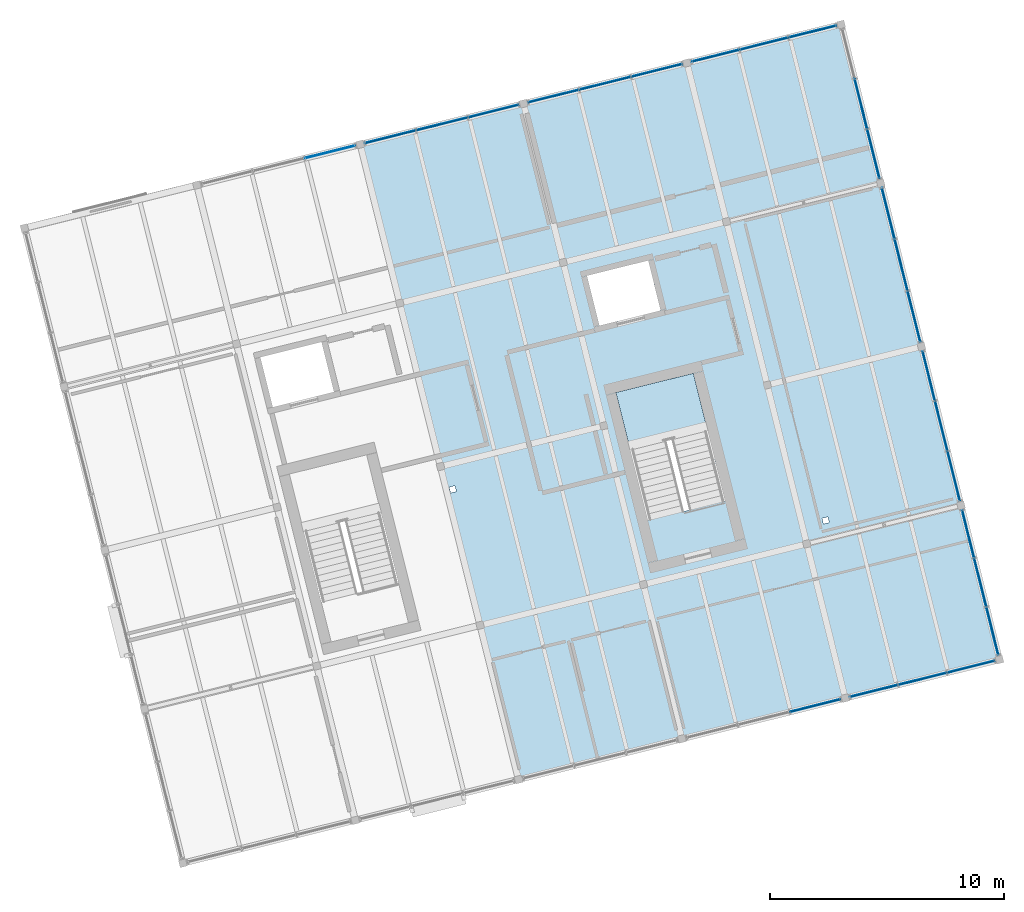
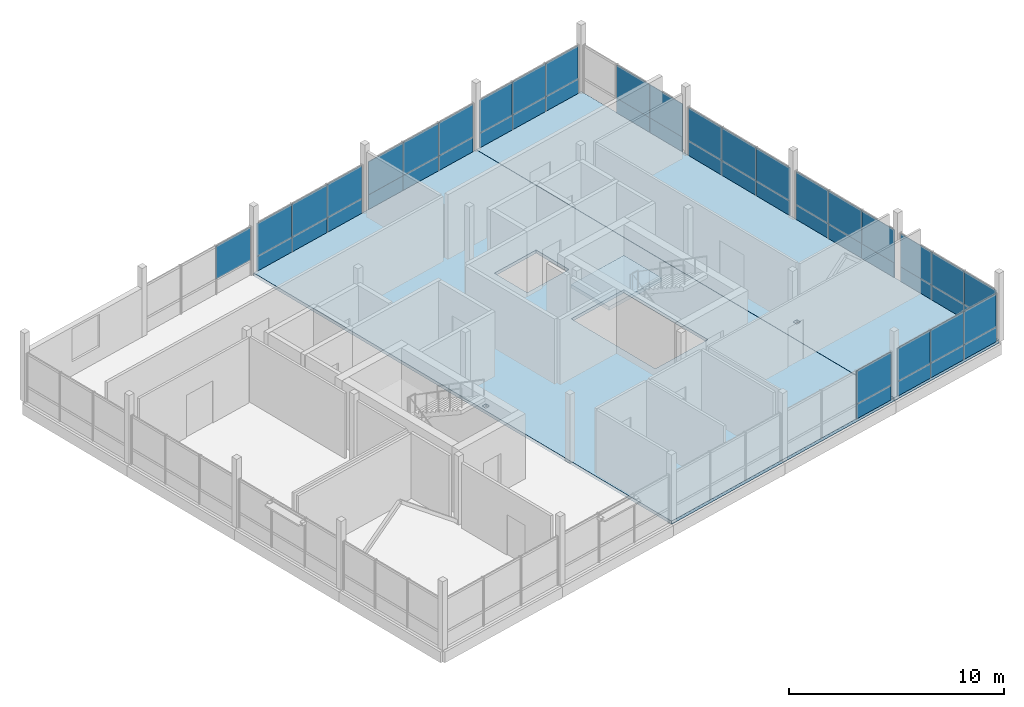
# One storey, part 22 of 25: 49 plates, 3 slabs, 11 elements without a shape of their own.
"""IFC4 building model written with IfcOpenShell, lengths in metres."""

import ifcopenshell
import ifcopenshell.guid

model = None  # the IFC model being written
_history = None  # IfcOwnerHistory: only IFC2X3 demands one
_inside = {}  # id of a spatial element -> (the spatial element, [elements in it])
_under = {}  # id of a project, library or spatial element -> (it, [spatial elements below it])
_declared = {}  # id of a project -> (the project, [libraries it declares])
_typed = {}  # id of a type object -> (the type object, [elements of that type])
_made_of = {}  # id of a material, layer set ... -> (it, [elements and type objects made of it])


def new_model(schema):
    """Start an empty IFC model of exactly this schema.

    Asked for "IFC4X3", IfcOpenShell would pick the latest addendum, in which some entities
    have other attributes; the version numbers below select the first issue.
    IFC2X3 requires an IfcOwnerHistory on every rooted entity: one is made here for all.
    """
    global model, _history
    if schema == "IFC4X3":
        model = ifcopenshell.file(schema_version=(4, 3, 0, 0))
    else:
        model = ifcopenshell.file(schema=schema)
    _inside.clear()
    _under.clear()
    _declared.clear()
    _typed.clear()
    _made_of.clear()
    _history = None
    if model.schema == "IFC2X3":
        org = make("IfcOrganization", Name="unknown")
        user = make(
            "IfcPersonAndOrganization",
            ThePerson=make("IfcPerson", FamilyName="unknown"),
            TheOrganization=org,
        )
        app = make(
            "IfcApplication",
            ApplicationDeveloper=org,
            Version="unknown",
            ApplicationFullName="unknown",
            ApplicationIdentifier="unknown",
        )
        _history = make(
            "IfcOwnerHistory",
            OwningUser=user,
            OwningApplication=app,
            ChangeAction="ADDED",
            CreationDate=0,
        )
    return model


def make(cls, **values):
    """One entity of the class cls with the attributes given. An attribute that is None is left unset."""
    return model.create_entity(
        cls, **{name: value for name, value in values.items() if value is not None}
    )


def rooted(cls, **values):
    """An entity with a GlobalId (a new one), such as an element, a storey or a relation."""
    return make(cls, GlobalId=ifcopenshell.guid.new(), OwnerHistory=_history, **values)


def si_unit(unit_type, name, prefix=None):
    """IfcSIUnit, for example si_unit("LENGTHUNIT", "METRE", prefix="MILLI")."""
    return make("IfcSIUnit", UnitType=unit_type, Prefix=prefix, Name=name)


def assignment(units):
    """IfcUnitAssignment: the units of a project."""
    return None if units is None else make("IfcUnitAssignment", Units=units)


def point(xyz):
    """IfcCartesianPoint."""
    return None if xyz is None else make("IfcCartesianPoint", Coordinates=xyz)


def direction(xyz):
    """IfcDirection."""
    return None if xyz is None else make("IfcDirection", DirectionRatios=xyz)


def frame(location, z_axis=None, x_axis=None):
    """IfcAxis2Placement3D, a coordinate frame: its origin and axes. An axis left out is left unset."""
    return make(
        "IfcAxis2Placement3D",
        Location=point(location),
        Axis=direction(z_axis),
        RefDirection=direction(x_axis),
    )


def frame_2d(location, x_axis=None):
    """IfcAxis2Placement2D, a coordinate frame in the plane: its origin and x axis."""
    return make(
        "IfcAxis2Placement2D", Location=point(location), RefDirection=direction(x_axis)
    )


def origin():
    """The frame at (0, 0, 0) with its axes left unset."""
    return frame((0.0, 0.0, 0.0))


def origin_2d():
    """The frame at (0, 0) in the plane with its x axis left unset."""
    return frame_2d((0.0, 0.0))


def place(relative_to, where):
    """IfcLocalPlacement: puts the frame where relative to a parent placement (None: the world)."""
    return make(
        "IfcLocalPlacement", PlacementRelTo=relative_to, RelativePlacement=where
    )


def context(
    kind, dimensions, precision=None, world=None, true_north=None, identifier=None
):
    """IfcGeometricRepresentationContext, for example the 3D "Model" context."""
    return make(
        "IfcGeometricRepresentationContext",
        ContextIdentifier=identifier,
        ContextType=kind,
        CoordinateSpaceDimension=dimensions,
        Precision=precision,
        WorldCoordinateSystem=world,
        TrueNorth=true_north,
    )


def subcontext(parent, identifier, kind, view, scale=None):
    """IfcGeometricRepresentationSubContext, for example "Body" below "Model"."""
    return make(
        "IfcGeometricRepresentationSubContext",
        ContextIdentifier=identifier,
        ContextType=kind,
        ParentContext=parent,
        TargetScale=scale,
        TargetView=view,
    )


def project(units=None, contexts=None):
    """IfcProject with its units and contexts."""
    return rooted(
        "IfcProject",
        Name="project",
        RepresentationContexts=contexts,
        UnitsInContext=assignment(units),
    )


def spatial(cls, under=None, at=None, **own):
    """A site, building, storey or space (cls), placed at a placement, below another one or the project."""
    s = rooted(cls, ObjectPlacement=at, **own)
    if under is not None:
        _under.setdefault(under.id(), (under, []))[1].append(s)
    return s


def polyline(points):
    """IfcPolyline through the points."""
    return make("IfcPolyline", Points=[point(p) for p in points])


def profile(cls, at=None, kind="AREA", **sizes):
    """A parametric profile (cls). Its sizes go by their IFC names, for example OverallWidth=200.0."""
    return make(cls, ProfileType=kind, Position=at, **sizes)


def rectangle(**sizes):
    """IfcRectangleProfileDef."""
    return profile("IfcRectangleProfileDef", **sizes)


def outline(outer, holes=None, kind="AREA"):
    """IfcArbitraryClosedProfileDef: a profile drawn as a closed curve; with holes, ...WithVoids."""
    if holes is None:
        return make("IfcArbitraryClosedProfileDef", ProfileType=kind, OuterCurve=outer)
    return make(
        "IfcArbitraryProfileDefWithVoids",
        ProfileType=kind,
        OuterCurve=outer,
        InnerCurves=holes,
    )


def extrude(swept, where, along, depth):
    """IfcExtrudedAreaSolid: the profile swept, set in the frame where, extruded along a direction by depth."""
    return make(
        "IfcExtrudedAreaSolid",
        SweptArea=swept,
        Position=where,
        ExtrudedDirection=direction(along),
        Depth=depth,
    )


def shape(context_of_items, identifier, shape_type, items):
    """IfcShapeRepresentation: the items that make up one representation, for example the "Body"."""
    return make(
        "IfcShapeRepresentation",
        ContextOfItems=context_of_items,
        RepresentationIdentifier=identifier,
        RepresentationType=shape_type,
        Items=items,
    )


def material(Name=None, Category=None):
    """IfcMaterial."""
    return make("IfcMaterial", Name=Name, Category=Category)


def layer(
    of_material, thickness, ventilated=None, Name=None, Category=None, Priority=None
):
    """IfcMaterialLayer: one layer of a wall or slab, of a material (None: an air gap)."""
    return make(
        "IfcMaterialLayer",
        Material=of_material,
        LayerThickness=thickness,
        IsVentilated=ventilated,
        Name=Name,
        Category=Category,
        Priority=Priority,
    )


def layer_set(layers, Name=None):
    """IfcMaterialLayerSet."""
    return make("IfcMaterialLayerSet", MaterialLayers=layers, LayerSetName=Name)


def made_of(thing, what):
    """Note that an element or type object is made of a material, layer set ...; save() writes the relation."""
    if what is not None:
        _made_of.setdefault(what.id(), (what, []))[1].append(thing)
    return thing


def type_object(cls, material=None, **own):
    """A type object (cls), such as IfcWallType, which elements share."""
    return made_of(rooted(cls, **own), material)


def element(
    cls,
    number,
    at=None,
    inside=None,
    cuts=None,
    type_object=None,
    material=None,
    context=None,
    identifier="Body",
    shape_type=None,
    held_by="IfcProductDefinitionShape",
    body=None,
    shapes=None,
    **own,
):
    """One element of the class cls, such as IfcWall. Its Tag is "e" and its number.

    at: its placement. inside: the storey or other place that contains it. cuts: it is an
    opening in that element (IfcRelVoidsElement). A single representation is given by context,
    identifier, shape_type and body (its items); several are given by shapes. held_by: the class
    of the entity that holds the representations. save() writes the other relations.
    """
    e = rooted(cls, Tag="e%d" % number, ObjectPlacement=at, **own)
    if body is not None:
        shapes = [shape(context, identifier, shape_type, body)]
    if shapes is not None:
        e.Representation = make(held_by, Representations=shapes)
    if inside is not None:
        _inside.setdefault(inside.id(), (inside, []))[1].append(e)
    if cuts is not None:
        rooted(
            "IfcRelVoidsElement", RelatingBuildingElement=cuts, RelatedOpeningElement=e
        )
    if type_object is not None:
        _typed.setdefault(type_object.id(), (type_object, []))[1].append(e)
    return made_of(e, material)


def aggregate(whole, parts):
    """IfcRelAggregates: a whole, such as a stair, and the parts it consists of."""
    return rooted("IfcRelAggregates", RelatingObject=whole, RelatedObjects=parts)


def save(model, path):
    """Write the relations noted so far, then the file.

    IfcRelAggregates (storeys below a building ...), IfcRelContainedInSpatialStructure (elements
    in a storey), IfcRelDefinesByType, IfcRelAssociatesMaterial and IfcRelDeclares: one each for
    every whole, place, type object, material and project.
    """
    for whole, parts in _under.values():
        aggregate(whole, parts)
    for where, things in _inside.values():
        rooted(
            "IfcRelContainedInSpatialStructure",
            RelatedElements=things,
            RelatingStructure=where,
        )
    for kind, things in _typed.values():
        rooted("IfcRelDefinesByType", RelatedObjects=things, RelatingType=kind)
    for what, things in _made_of.values():
        rooted("IfcRelAssociatesMaterial", RelatedObjects=things, RelatingMaterial=what)
    for by, libraries in _declared.values():
        rooted("IfcRelDeclares", RelatingContext=by, RelatedDefinitions=libraries)
    model.write(path)


model = new_model("IFC4")

# Units and contexts
model_context = context("Model", 3, precision=1e-05, world=origin(), true_north=direction((0.0, 1.0)))
body_context = subcontext(model_context, "Body", "Model", "MODEL_VIEW")
ifc_project = project(units=[si_unit("LENGTHUNIT", "METRE"), si_unit("AREAUNIT", "SQUARE_METRE"), si_unit("VOLUMEUNIT", "CUBIC_METRE"), si_unit("PLANEANGLEUNIT", "RADIAN"), si_unit("MASSUNIT", "GRAM", prefix="KILO")], contexts=[model_context])

# Site, building, storey
site_placement = place(None, origin())
site = spatial("IfcSite", under=ifc_project, at=site_placement, CompositionType="ELEMENT")
building_placement = place(site_placement, origin())
building = spatial("IfcBuilding", under=site, at=building_placement, Name="Meriwether Solvik Hall", CompositionType="ELEMENT")
storey_placement = place(building_placement, frame((0.0, 0.0, 53.39990234375)))
storey = spatial("IfcBuildingStorey", under=building, at=storey_placement, Name="L13", CompositionType="ELEMENT", Elevation=53.39990234375)

# Curtain wall, plates
ifc_material_1 = material(Name="Thermally Broken Anodised Aluminium 6063-T6 and Low-E Glass", Category="aluminium")
ifc_layer_1 = layer(ifc_material_1, 0.179931640625)
ifc_layer_set_1 = layer_set([ifc_layer_1], Name="Thermally Broken Anodised Aluminium 6063-T6 and Low-E Glass")
curtain_wall_type_1 = type_object("IfcCurtainWallType", Name="CW-UNIT-F", PredefinedType="USERDEFINED", material=ifc_layer_set_1)
curtain_wall_1_placement = place(storey_placement, origin())
curtain_wall_1 = element("IfcCurtainWall", 1, at=curtain_wall_1_placement, inside=storey, type_object=curtain_wall_type_1, Name="Curtain Wall E1_B1 (L13)", ObjectType="UNITISED CURTAIN WALL", PredefinedType="USERDEFINED")
ifc_material_2 = material(Name="Low-Emissivity Double-Glazed Laminated Glass", Category="glass")
ifc_layer_2 = layer(ifc_material_2, 0.031982421875)
ifc_layer_set_2 = layer_set([ifc_layer_2], Name="Low-Emissivity Double-Glazed Laminated Glass")
plate_type_1 = type_object("IfcPlateType", Name="PLT-GLZ-180X185", PredefinedType="CURTAIN_PANEL", material=ifc_layer_set_2)
plate_1_placement = place(storey_placement, frame((100.50634765625, 62.0390625, 0.8310546875), z_axis=(0.0, 0.0, 1.0), x_axis=(0.241921784185, -0.970295754055, 0.0)))
plate_1 = element("IfcPlate", 2, at=plate_1_placement, type_object=plate_type_1, Name="Low-E Vision Glazing Panel 1", PredefinedType="CURTAIN_PANEL", context=body_context, shape_type="SweptSolid", body=[
    extrude(rectangle(XDim=2.17431640625, YDim=0.033935546875, at=origin_2d()), origin(), (0.0, 0.0, 1.0), 1.87890625),
])
plate_2_placement = place(storey_placement, frame((101.038818359375, 59.9033203125, 0.8310546875), z_axis=(0.0, 0.0, 1.0), x_axis=(0.241921784185, -0.970295754055, 0.0)))
plate_2 = element("IfcPlate", 3, at=plate_2_placement, type_object=plate_type_1, Name="Low-E Vision Glazing Panel 2", PredefinedType="CURTAIN_PANEL", context=body_context, shape_type="SweptSolid", body=[
    extrude(rectangle(XDim=2.21240234375, YDim=0.033935546875, at=origin_2d()), origin(), (0.0, 0.0, 1.0), 1.87890625),
])
plate_3_placement = place(storey_placement, frame((101.5712890625, 57.767333984375, 0.8310546875), z_axis=(0.0, 0.0, 1.0), x_axis=(0.241921784185, -0.970295754055, 0.0)))
plate_3 = element("IfcPlate", 4, at=plate_3_placement, type_object=plate_type_1, Name="Low-E Vision Glazing Panel 3", PredefinedType="CURTAIN_PANEL", context=body_context, shape_type="SweptSolid", body=[
    extrude(rectangle(XDim=2.17431640625, YDim=0.033935546875, at=origin_2d()), origin(), (0.0, 0.0, 1.0), 1.87890625),
])

# Curtain wall, plate
ifc_material_3 = material(Name="Thermally Broken Anodised Aluminium 6063-T6 and Low-E Glass", Category="aluminium")
ifc_layer_3 = layer(ifc_material_3, 0.179931640625)
ifc_layer_set_3 = layer_set([ifc_layer_3], Name="Thermally Broken Anodised Aluminium 6063-T6 and Low-E Glass")
curtain_wall_type_2 = type_object("IfcCurtainWallType", Name="CW-UNIT-G", PredefinedType="USERDEFINED", material=ifc_layer_set_3)
curtain_wall_2_placement = place(storey_placement, origin())
curtain_wall_2 = element("IfcCurtainWall", 5, at=curtain_wall_2_placement, inside=storey, type_object=curtain_wall_type_2, Name="Curtain Wall E2_B1 (L13)", ObjectType="UNITISED CURTAIN WALL", PredefinedType="USERDEFINED")
plate_4_placement = place(storey_placement, frame((74.89404296875, 71.62646484375, 0.8310546875), z_axis=(0.0, 0.0, 1.0), x_axis=(0.970295730764, 0.241921877598, 0.0)))
plate_4 = element("IfcPlate", 6, at=plate_4_placement, type_object=plate_type_1, Name="Low-E Vision Glazing Panel 3", PredefinedType="CURTAIN_PANEL", context=body_context, shape_type="SweptSolid", body=[
    extrude(rectangle(XDim=2.240966796875, YDim=0.033935546875, at=origin_2d()), origin(), (0.0, 0.0, 1.0), 1.87890625),
])
aggregate(curtain_wall_2, [plate_4])

# Curtain wall, plates
ifc_material_4 = material(Name="Thermally Broken Anodised Aluminium 6063-T6 and Low-E Glass", Category="aluminium")
ifc_layer_4 = layer(ifc_material_4, 0.179931640625)
ifc_layer_set_4 = layer_set([ifc_layer_4], Name="Thermally Broken Anodised Aluminium 6063-T6 and Low-E Glass")
curtain_wall_type_3 = type_object("IfcCurtainWallType", Name="CW-UNIT-A", PredefinedType="USERDEFINED", material=ifc_layer_set_4)
curtain_wall_3_placement = place(storey_placement, origin())
curtain_wall_3 = element("IfcCurtainWall", 7, at=curtain_wall_3_placement, inside=storey, type_object=curtain_wall_type_3, Name="Curtain Wall E0_B4 (L13)", ObjectType="UNITISED CURTAIN WALL", PredefinedType="USERDEFINED")
ifc_material_5 = material(Name="Low-Emissivity Double-Glazed Laminated Glass", Category="glass")
ifc_layer_5 = layer(ifc_material_5, 0.031982421875)
ifc_layer_set_5 = layer_set([ifc_layer_5], Name="Low-Emissivity Double-Glazed Laminated Glass")
plate_type_2 = type_object("IfcPlateType", Name="PLT-GLZ-195X185", PredefinedType="CURTAIN_PANEL", material=ifc_layer_set_5)
plate_5_placement = place(storey_placement, frame((102.302978515625, 49.60302734375, 0.8310546875), z_axis=(0.0, 0.0, 1.0), x_axis=(-0.970295742456, -0.241921830705, 0.0)))
plate_5 = element("IfcPlate", 8, at=plate_5_placement, type_object=plate_type_2, Name="Low-E Vision Glazing Panel 1", PredefinedType="CURTAIN_PANEL", context=body_context, shape_type="SweptSolid", body=[
    extrude(rectangle(XDim=2.107666015625, YDim=0.033935546875, at=origin_2d()), origin(), (0.0, 0.0, 1.0), 1.87890625),
])
plate_6_placement = place(storey_placement, frame((100.231689453125, 49.086669921875, 0.8310546875), z_axis=(0.0, 0.0, 1.0), x_axis=(-0.970295742456, -0.241921830705, 0.0)))
plate_6 = element("IfcPlate", 9, at=plate_6_placement, type_object=plate_type_2, Name="Low-E Vision Glazing Panel 2", PredefinedType="CURTAIN_PANEL", context=body_context, shape_type="SweptSolid", body=[
    extrude(rectangle(XDim=2.145751953125, YDim=0.033935546875, at=origin_2d()), origin(), (0.0, 0.0, 1.0), 1.87890625),
])
plate_7_placement = place(storey_placement, frame((98.160400390625, 48.5703125, 0.8310546875), z_axis=(0.0, 0.0, 1.0), x_axis=(-0.970295742456, -0.241921830705, 0.0)))
plate_7 = element("IfcPlate", 10, at=plate_7_placement, type_object=plate_type_2, Name="Low-E Vision Glazing Panel 3", PredefinedType="CURTAIN_PANEL", context=body_context, shape_type="SweptSolid", body=[
    extrude(rectangle(XDim=2.107666015625, YDim=0.033935546875, at=origin_2d()), origin(), (0.0, 0.0, 1.0), 1.87890625),
])

ifc_material_6 = material(Name="Thermally Broken Anodised Aluminium 6063-T6 and Low-E Glass", Category="aluminium")
ifc_layer_6 = layer(ifc_material_6, 0.179931640625)
ifc_layer_set_6 = layer_set([ifc_layer_6], Name="Thermally Broken Anodised Aluminium 6063-T6 and Low-E Glass")
curtain_wall_type_4 = type_object("IfcCurtainWallType", Name="CW-UNIT-E", PredefinedType="USERDEFINED", material=ifc_layer_set_6)
curtain_wall_4_placement = place(storey_placement, origin())
curtain_wall_4 = element("IfcCurtainWall", 11, at=curtain_wall_4_placement, inside=storey, type_object=curtain_wall_type_4, Name="Curtain Wall E1_B0 (L13)", ObjectType="UNITISED CURTAIN WALL", PredefinedType="USERDEFINED")
plate_8_placement = place(storey_placement, frame((102.191650390625, 55.279541015625, 0.8310546875), z_axis=(0.0, 0.0, 1.0), x_axis=(0.241921830705, -0.970295742456, 0.0)))
plate_8 = element("IfcPlate", 12, at=plate_8_placement, type_object=plate_type_2, Name="Low-E Vision Glazing Panel 1", PredefinedType="CURTAIN_PANEL", context=body_context, shape_type="SweptSolid", body=[
    extrude(rectangle(XDim=2.107666015625, YDim=0.033935546875, at=origin_2d()), origin(), (0.0, 0.0, 1.0), 1.87890625),
])
plate_9_placement = place(storey_placement, frame((102.7080078125, 53.208251953125, 0.8310546875), z_axis=(0.0, 0.0, 1.0), x_axis=(0.241921830705, -0.970295742456, 0.0)))
plate_9 = element("IfcPlate", 13, at=plate_9_placement, type_object=plate_type_2, Name="Low-E Vision Glazing Panel 2", PredefinedType="CURTAIN_PANEL", context=body_context, shape_type="SweptSolid", body=[
    extrude(rectangle(XDim=2.145751953125, YDim=0.033935546875, at=origin_2d()), origin(), (0.0, 0.0, 1.0), 1.87890625),
])
plate_10_placement = place(storey_placement, frame((103.224609375, 51.136962890625, 0.8310546875), z_axis=(0.0, 0.0, 1.0), x_axis=(0.241921830705, -0.970295742456, 0.0)))
plate_10 = element("IfcPlate", 14, at=plate_10_placement, type_object=plate_type_2, Name="Low-E Vision Glazing Panel 3", PredefinedType="CURTAIN_PANEL", context=body_context, shape_type="SweptSolid", body=[
    extrude(rectangle(XDim=2.107666015625, YDim=0.033935546875, at=origin_2d()), origin(), (0.0, 0.0, 1.0), 1.87890625),
])

ifc_material_7 = material(Name="Thermally Broken Anodised Aluminium 6063-T6 and Low-E Glass", Category="aluminium")
ifc_layer_7 = layer(ifc_material_7, 0.179931640625)
ifc_layer_set_7 = layer_set([ifc_layer_7], Name="Thermally Broken Anodised Aluminium 6063-T6 and Low-E Glass")
curtain_wall_type_5 = type_object("IfcCurtainWallType", Name="CW-UNIT-C", PredefinedType="USERDEFINED", material=ifc_layer_set_7)
curtain_wall_5_placement = place(storey_placement, origin())
curtain_wall_5 = element("IfcCurtainWall", 15, at=curtain_wall_5_placement, inside=storey, type_object=curtain_wall_type_5, Name="Curtain Wall E2_B4 (L13)", ObjectType="UNITISED CURTAIN WALL", PredefinedType="USERDEFINED")
plate_11_placement = place(storey_placement, frame((91.386474609375, 75.738525390625, 0.8310546875), z_axis=(0.0, 0.0, 1.0), x_axis=(0.970295706127, 0.241921976413, 0.0)))
plate_11 = element("IfcPlate", 16, at=plate_11_placement, type_object=plate_type_2, Name="Low-E Vision Glazing Panel 1", PredefinedType="CURTAIN_PANEL", context=body_context, shape_type="SweptSolid", body=[
    extrude(rectangle(XDim=2.107666015625, YDim=0.033935546875, at=origin_2d()), origin(), (0.0, 0.0, 1.0), 1.87890625),
])
plate_12_placement = place(storey_placement, frame((93.457763671875, 76.2548828125, 0.8310546875), z_axis=(0.0, 0.0, 1.0), x_axis=(0.970295706127, 0.241921976413, 0.0)))
plate_12 = element("IfcPlate", 17, at=plate_12_placement, type_object=plate_type_2, Name="Low-E Vision Glazing Panel 2", PredefinedType="CURTAIN_PANEL", context=body_context, shape_type="SweptSolid", body=[
    extrude(rectangle(XDim=2.145751953125, YDim=0.033935546875, at=origin_2d()), origin(), (0.0, 0.0, 1.0), 1.87890625),
])
plate_13_placement = place(storey_placement, frame((95.529052734375, 76.771240234375, 0.8310546875), z_axis=(0.0, 0.0, 1.0), x_axis=(0.970295706127, 0.241921976413, 0.0)))
plate_13 = element("IfcPlate", 18, at=plate_13_placement, type_object=plate_type_2, Name="Low-E Vision Glazing Panel 3", PredefinedType="CURTAIN_PANEL", context=body_context, shape_type="SweptSolid", body=[
    extrude(rectangle(XDim=2.107666015625, YDim=0.033935546875, at=origin_2d()), origin(), (0.0, 0.0, 1.0), 1.87890625),
])

# Curtain wall, plate
curtain_wall_6_placement = place(storey_placement, origin())
curtain_wall_6 = element("IfcCurtainWall", 19, at=curtain_wall_6_placement, inside=storey, type_object=curtain_wall_type_2, Name="Curtain Wall E0_B3 (L13)", ObjectType="UNITISED CURTAIN WALL", PredefinedType="USERDEFINED")
ifc_material_8 = material(Name="Low-Emissivity Double-Glazed Laminated Glass", Category="glass")
ifc_layer_8 = layer(ifc_material_8, 0.031982421875)
ifc_layer_set_8 = layer_set([ifc_layer_8], Name="Low-Emissivity Double-Glazed Laminated Glass")
plate_type_3 = type_object("IfcPlateType", Name="PLT-GLZ-210X195", PredefinedType="CURTAIN_PANEL", material=ifc_layer_set_8)
plate_14_placement = place(storey_placement, frame((95.64013671875, 47.94189453125, 0.8310546875), z_axis=(0.0, 0.0, 1.0), x_axis=(-0.970295696551, -0.241922014821, 0.0)))
plate_14 = element("IfcPlate", 20, at=plate_14_placement, type_object=plate_type_3, Name="Low-E Vision Glazing Panel 1", PredefinedType="CURTAIN_PANEL", context=body_context, shape_type="SweptSolid", body=[
    extrude(rectangle(XDim=2.240966796875, YDim=0.033935546875, at=origin_2d()), origin(), (0.0, 0.0, 1.0), 1.87890625),
])

# Curtain wall, plates
curtain_wall_7_placement = place(storey_placement, origin())
curtain_wall_7 = element("IfcCurtainWall", 21, at=curtain_wall_7_placement, inside=storey, type_object=curtain_wall_type_3, Name="Curtain Wall E1_B3 (L13)", ObjectType="UNITISED CURTAIN WALL", PredefinedType="USERDEFINED")
plate_15_placement = place(storey_placement, frame((97.603515625, 73.681396484375, 0.8310546875), z_axis=(0.0, 0.0, 1.0), x_axis=(0.241921960765, -0.970295710028, 0.0)))
plate_15 = element("IfcPlate", 22, at=plate_15_placement, type_object=plate_type_3, Name="Low-E Vision Glazing Panel 2", PredefinedType="CURTAIN_PANEL", context=body_context, shape_type="SweptSolid", body=[
    extrude(rectangle(XDim=2.21240234375, YDim=0.033935546875, at=origin_2d()), origin(), (0.0, 0.0, 1.0), 1.87890625),
])
plate_16_placement = place(storey_placement, frame((98.13623046875, 71.54541015625, 0.8310546875), z_axis=(0.0, 0.0, 1.0), x_axis=(0.241921960765, -0.970295710028, 0.0)))
plate_16 = element("IfcPlate", 23, at=plate_16_placement, type_object=plate_type_3, Name="Low-E Vision Glazing Panel 3", PredefinedType="CURTAIN_PANEL", context=body_context, shape_type="SweptSolid", body=[
    extrude(rectangle(XDim=2.17431640625, YDim=0.033935546875, at=origin_2d()), origin(), (0.0, 0.0, 1.0), 1.87890625),
])

ifc_material_9 = material(Name="Thermally Broken Anodised Aluminium 6063-T6 and Low-E Glass", Category="aluminium")
ifc_layer_9 = layer(ifc_material_9, 0.179931640625)
ifc_layer_set_9 = layer_set([ifc_layer_9], Name="Thermally Broken Anodised Aluminium 6063-T6 and Low-E Glass")
curtain_wall_type_6 = type_object("IfcCurtainWallType", Name="CW-UNIT-B", PredefinedType="USERDEFINED", material=ifc_layer_set_9)
curtain_wall_8_placement = place(storey_placement, origin())
curtain_wall_8 = element("IfcCurtainWall", 24, at=curtain_wall_8_placement, inside=storey, type_object=curtain_wall_type_6, Name="Curtain Wall E2_B3 (L13)", ObjectType="UNITISED CURTAIN WALL", PredefinedType="USERDEFINED")
plate_17_placement = place(storey_placement, frame((84.465087890625, 74.0126953125, 0.8310546875), z_axis=(0.0, 0.0, 1.0), x_axis=(0.970295730764, 0.241921877598, 0.0)))
plate_17 = element("IfcPlate", 25, at=plate_17_placement, type_object=plate_type_3, Name="Low-E Vision Glazing Panel 1", PredefinedType="CURTAIN_PANEL", context=body_context, shape_type="SweptSolid", body=[
    extrude(rectangle(XDim=2.240966796875, YDim=0.033935546875, at=origin_2d()), origin(), (0.0, 0.0, 1.0), 1.87890625),
])
plate_18_placement = place(storey_placement, frame((86.665771484375, 74.5615234375, 0.8310546875), z_axis=(0.0, 0.0, 1.0), x_axis=(0.970295730764, 0.241921877598, 0.0)))
plate_18 = element("IfcPlate", 26, at=plate_18_placement, type_object=plate_type_3, Name="Low-E Vision Glazing Panel 2", PredefinedType="CURTAIN_PANEL", context=body_context, shape_type="SweptSolid", body=[
    extrude(rectangle(XDim=2.279052734375, YDim=0.033935546875, at=origin_2d()), origin(), (0.0, 0.0, 1.0), 1.87890625),
])
plate_19_placement = place(storey_placement, frame((88.866455078125, 75.110107421875, 0.8310546875), z_axis=(0.0, 0.0, 1.0), x_axis=(0.970295730764, 0.241921877598, 0.0)))
plate_19 = element("IfcPlate", 27, at=plate_19_placement, type_object=plate_type_3, Name="Low-E Vision Glazing Panel 3", PredefinedType="CURTAIN_PANEL", context=body_context, shape_type="SweptSolid", body=[
    extrude(rectangle(XDim=2.240966796875, YDim=0.033935546875, at=origin_2d()), origin(), (0.0, 0.0, 1.0), 1.87890625),
])

curtain_wall_9_placement = place(storey_placement, origin())
curtain_wall_9 = element("IfcCurtainWall", 28, at=curtain_wall_9_placement, inside=storey, type_object=curtain_wall_type_2, Name="Curtain Wall E1_B2 (L13)", ObjectType="UNITISED CURTAIN WALL", PredefinedType="USERDEFINED")
ifc_material_10 = material(Name="Low-Emissivity Double-Glazed Laminated Glass", Category="glass")
ifc_layer_10 = layer(ifc_material_10, 0.031982421875)
ifc_layer_set_10 = layer_set([ifc_layer_10], Name="Low-Emissivity Double-Glazed Laminated Glass")
plate_type_4 = type_object("IfcPlateType", Name="PLT-GLZ-225X195", PredefinedType="CURTAIN_PANEL", material=ifc_layer_set_10)
plate_20_placement = place(storey_placement, frame((98.7724609375, 68.992919921875, 0.8310546875), z_axis=(0.0, 0.0, 1.0), x_axis=(0.241921877598, -0.970295730764, 0.0)))
plate_20 = element("IfcPlate", 29, at=plate_20_placement, type_object=plate_type_4, Name="Low-E Vision Glazing Panel 1", PredefinedType="CURTAIN_PANEL", context=body_context, shape_type="SweptSolid", body=[
    extrude(rectangle(XDim=2.240966796875, YDim=0.033935546875, at=origin_2d()), origin(), (0.0, 0.0, 1.0), 1.87890625),
])
plate_21_placement = place(storey_placement, frame((99.3212890625, 66.792236328125, 0.8310546875), z_axis=(0.0, 0.0, 1.0), x_axis=(0.241921877598, -0.970295730764, 0.0)))
plate_21 = element("IfcPlate", 30, at=plate_21_placement, type_object=plate_type_4, Name="Low-E Vision Glazing Panel 2", PredefinedType="CURTAIN_PANEL", context=body_context, shape_type="SweptSolid", body=[
    extrude(rectangle(XDim=2.279052734375, YDim=0.033935546875, at=origin_2d()), origin(), (0.0, 0.0, 1.0), 1.87890625),
])
plate_22_placement = place(storey_placement, frame((99.869873046875, 64.591796875, 0.8310546875), z_axis=(0.0, 0.0, 1.0), x_axis=(0.241921877598, -0.970295730764, 0.0)))
plate_22 = element("IfcPlate", 31, at=plate_22_placement, type_object=plate_type_4, Name="Low-E Vision Glazing Panel 3", PredefinedType="CURTAIN_PANEL", context=body_context, shape_type="SweptSolid", body=[
    extrude(rectangle(XDim=2.240966796875, YDim=0.033935546875, at=origin_2d()), origin(), (0.0, 0.0, 1.0), 1.87890625),
])

curtain_wall_10_placement = place(storey_placement, origin())
curtain_wall_10 = element("IfcCurtainWall", 32, at=curtain_wall_10_placement, inside=storey, type_object=curtain_wall_type_3, Name="Curtain Wall E2_B2 (L13)", ObjectType="UNITISED CURTAIN WALL", PredefinedType="USERDEFINED")
plate_23_placement = place(storey_placement, frame((77.47900390625, 72.27099609375, 0.8310546875), z_axis=(0.0, 0.0, 1.0), x_axis=(0.970295730764, 0.241921877598, 0.0)))
plate_23 = element("IfcPlate", 33, at=plate_23_placement, type_object=plate_type_4, Name="Low-E Vision Glazing Panel 1", PredefinedType="CURTAIN_PANEL", context=body_context, shape_type="SweptSolid", body=[
    extrude(rectangle(XDim=2.240966796875, YDim=0.033935546875, at=origin_2d()), origin(), (0.0, 0.0, 1.0), 1.87890625),
])
plate_24_placement = place(storey_placement, frame((79.6796875, 72.819580078125, 0.8310546875), z_axis=(0.0, 0.0, 1.0), x_axis=(0.970295730764, 0.241921877598, 0.0)))
plate_24 = element("IfcPlate", 34, at=plate_24_placement, type_object=plate_type_4, Name="Low-E Vision Glazing Panel 2", PredefinedType="CURTAIN_PANEL", context=body_context, shape_type="SweptSolid", body=[
    extrude(rectangle(XDim=2.279052734375, YDim=0.033935546875, at=origin_2d()), origin(), (0.0, 0.0, 1.0), 1.87890625),
])
plate_25_placement = place(storey_placement, frame((81.88037109375, 73.368408203125, 0.8310546875), z_axis=(0.0, 0.0, 1.0), x_axis=(0.970295730764, 0.241921877598, 0.0)))
plate_25 = element("IfcPlate", 35, at=plate_25_placement, type_object=plate_type_4, Name="Low-E Vision Glazing Panel 3", PredefinedType="CURTAIN_PANEL", context=body_context, shape_type="SweptSolid", body=[
    extrude(rectangle(XDim=2.240966796875, YDim=0.033935546875, at=origin_2d()), origin(), (0.0, 0.0, 1.0), 1.87890625),
])

# Plate
ifc_material_11 = material(Name="Mineral-Wool Insulated Anodised Aluminium 6063-T6", Category="aluminium")
ifc_layer_11 = layer(ifc_material_11, 0.044921875)
ifc_layer_set_11 = layer_set([ifc_layer_11], Name="Mineral-Wool Insulated Anodised Aluminium 6063-T6")
plate_type_5 = type_object("IfcPlateType", Name="PLT-SPN-200X085", PredefinedType="CURTAIN_PANEL", material=ifc_layer_set_11)
plate_26_placement = place(storey_placement, frame((95.64013671875, 47.94189453125, 0.0), z_axis=(0.0, 0.0, 1.0), x_axis=(-0.970295696551, -0.241922014821, 0.0)))
plate_26 = element("IfcPlate", 36, at=plate_26_placement, type_object=plate_type_5, Name="Insulated Spandrel Panel 1", PredefinedType="CURTAIN_PANEL", context=body_context, shape_type="SweptSolid", body=[
    extrude(rectangle(XDim=2.240966796875, YDim=0.044921875, at=origin_2d()), origin(), (0.0, 0.0, 1.0), 0.8310546875),
])

aggregate(curtain_wall_6, [plate_26, plate_14])

plate_27_placement = place(storey_placement, frame((102.302978515625, 49.60302734375, 0.0), z_axis=(0.0, 0.0, 1.0), x_axis=(-0.970295742456, -0.241921830705, 0.0)))
plate_27 = element("IfcPlate", 37, at=plate_27_placement, type_object=plate_type_5, Name="Insulated Spandrel Panel 1", PredefinedType="CURTAIN_PANEL", context=body_context, shape_type="SweptSolid", body=[
    extrude(rectangle(XDim=2.107666015625, YDim=0.044921875, at=origin_2d()), origin(), (0.0, 0.0, 1.0), 0.8310546875),
])

plate_28_placement = place(storey_placement, frame((100.231689453125, 49.086669921875, 0.0), z_axis=(0.0, 0.0, 1.0), x_axis=(-0.970295742456, -0.241921830705, 0.0)))
plate_28 = element("IfcPlate", 38, at=plate_28_placement, type_object=plate_type_5, Name="Insulated Spandrel Panel 2", PredefinedType="CURTAIN_PANEL", context=body_context, shape_type="SweptSolid", body=[
    extrude(rectangle(XDim=2.145751953125, YDim=0.044921875, at=origin_2d()), origin(), (0.0, 0.0, 1.0), 0.8310546875),
])

plate_29_placement = place(storey_placement, frame((98.160400390625, 48.5703125, 0.0), z_axis=(0.0, 0.0, 1.0), x_axis=(-0.970295742456, -0.241921830705, 0.0)))
plate_29 = element("IfcPlate", 39, at=plate_29_placement, type_object=plate_type_5, Name="Insulated Spandrel Panel 3", PredefinedType="CURTAIN_PANEL", context=body_context, shape_type="SweptSolid", body=[
    extrude(rectangle(XDim=2.107666015625, YDim=0.044921875, at=origin_2d()), origin(), (0.0, 0.0, 1.0), 0.8310546875),
])

aggregate(curtain_wall_3, [plate_27, plate_5, plate_28, plate_6, plate_29, plate_7])

plate_30_placement = place(storey_placement, frame((102.191650390625, 55.279541015625, 0.0), z_axis=(0.0, 0.0, 1.0), x_axis=(0.241921830705, -0.970295742456, 0.0)))
plate_30 = element("IfcPlate", 40, at=plate_30_placement, type_object=plate_type_5, Name="Insulated Spandrel Panel 1", PredefinedType="CURTAIN_PANEL", context=body_context, shape_type="SweptSolid", body=[
    extrude(rectangle(XDim=2.107666015625, YDim=0.044921875, at=origin_2d()), origin(), (0.0, 0.0, 1.0), 0.8310546875),
])

plate_31_placement = place(storey_placement, frame((102.7080078125, 53.208251953125, 0.0), z_axis=(0.0, 0.0, 1.0), x_axis=(0.241921830705, -0.970295742456, 0.0)))
plate_31 = element("IfcPlate", 41, at=plate_31_placement, type_object=plate_type_5, Name="Insulated Spandrel Panel 2", PredefinedType="CURTAIN_PANEL", context=body_context, shape_type="SweptSolid", body=[
    extrude(rectangle(XDim=2.145751953125, YDim=0.044921875, at=origin_2d()), origin(), (0.0, 0.0, 1.0), 0.8310546875),
])

plate_32_placement = place(storey_placement, frame((103.224609375, 51.136962890625, 0.0), z_axis=(0.0, 0.0, 1.0), x_axis=(0.241921830705, -0.970295742456, 0.0)))
plate_32 = element("IfcPlate", 42, at=plate_32_placement, type_object=plate_type_5, Name="Insulated Spandrel Panel 3", PredefinedType="CURTAIN_PANEL", context=body_context, shape_type="SweptSolid", body=[
    extrude(rectangle(XDim=2.107666015625, YDim=0.044921875, at=origin_2d()), origin(), (0.0, 0.0, 1.0), 0.8310546875),
])

aggregate(curtain_wall_4, [plate_30, plate_8, plate_31, plate_9, plate_32, plate_10])

plate_33_placement = place(storey_placement, frame((100.50634765625, 62.0390625, 0.0), z_axis=(0.0, 0.0, 1.0), x_axis=(0.241921784185, -0.970295754055, 0.0)))
plate_33 = element("IfcPlate", 43, at=plate_33_placement, type_object=plate_type_5, Name="Insulated Spandrel Panel 1", PredefinedType="CURTAIN_PANEL", context=body_context, shape_type="SweptSolid", body=[
    extrude(rectangle(XDim=2.17431640625, YDim=0.044921875, at=origin_2d()), origin(), (0.0, 0.0, 1.0), 0.8310546875),
])

plate_34_placement = place(storey_placement, frame((101.038818359375, 59.9033203125, 0.0), z_axis=(0.0, 0.0, 1.0), x_axis=(0.241921784185, -0.970295754055, 0.0)))
plate_34 = element("IfcPlate", 44, at=plate_34_placement, type_object=plate_type_5, Name="Insulated Spandrel Panel 2", PredefinedType="CURTAIN_PANEL", context=body_context, shape_type="SweptSolid", body=[
    extrude(rectangle(XDim=2.21240234375, YDim=0.044921875, at=origin_2d()), origin(), (0.0, 0.0, 1.0), 0.8310546875),
])

plate_35_placement = place(storey_placement, frame((101.5712890625, 57.767333984375, 0.0), z_axis=(0.0, 0.0, 1.0), x_axis=(0.241921784185, -0.970295754055, 0.0)))
plate_35 = element("IfcPlate", 45, at=plate_35_placement, type_object=plate_type_5, Name="Insulated Spandrel Panel 3", PredefinedType="CURTAIN_PANEL", context=body_context, shape_type="SweptSolid", body=[
    extrude(rectangle(XDim=2.17431640625, YDim=0.044921875, at=origin_2d()), origin(), (0.0, 0.0, 1.0), 0.8310546875),
])

aggregate(curtain_wall_1, [plate_33, plate_1, plate_34, plate_2, plate_35, plate_3])

plate_36_placement = place(storey_placement, frame((98.7724609375, 68.992919921875, 0.0), z_axis=(0.0, 0.0, 1.0), x_axis=(0.241921877598, -0.970295730764, 0.0)))
plate_36 = element("IfcPlate", 46, at=plate_36_placement, type_object=plate_type_5, Name="Insulated Spandrel Panel 1", PredefinedType="CURTAIN_PANEL", context=body_context, shape_type="SweptSolid", body=[
    extrude(rectangle(XDim=2.240966796875, YDim=0.044921875, at=origin_2d()), origin(), (0.0, 0.0, 1.0), 0.8310546875),
])

plate_37_placement = place(storey_placement, frame((99.3212890625, 66.792236328125, 0.0), z_axis=(0.0, 0.0, 1.0), x_axis=(0.241921877598, -0.970295730764, 0.0)))
plate_37 = element("IfcPlate", 47, at=plate_37_placement, type_object=plate_type_5, Name="Insulated Spandrel Panel 2", PredefinedType="CURTAIN_PANEL", context=body_context, shape_type="SweptSolid", body=[
    extrude(rectangle(XDim=2.279052734375, YDim=0.044921875, at=origin_2d()), origin(), (0.0, 0.0, 1.0), 0.8310546875),
])

plate_38_placement = place(storey_placement, frame((99.869873046875, 64.591796875, 0.0), z_axis=(0.0, 0.0, 1.0), x_axis=(0.241921877598, -0.970295730764, 0.0)))
plate_38 = element("IfcPlate", 48, at=plate_38_placement, type_object=plate_type_5, Name="Insulated Spandrel Panel 3", PredefinedType="CURTAIN_PANEL", context=body_context, shape_type="SweptSolid", body=[
    extrude(rectangle(XDim=2.240966796875, YDim=0.044921875, at=origin_2d()), origin(), (0.0, 0.0, 1.0), 0.8310546875),
])

aggregate(curtain_wall_9, [plate_36, plate_20, plate_37, plate_21, plate_38, plate_22])

plate_39_placement = place(storey_placement, frame((97.603515625, 73.681396484375, 0.0), z_axis=(0.0, 0.0, 1.0), x_axis=(0.241921960765, -0.970295710028, 0.0)))
plate_39 = element("IfcPlate", 49, at=plate_39_placement, type_object=plate_type_5, Name="Insulated Spandrel Panel 2", PredefinedType="CURTAIN_PANEL", context=body_context, shape_type="SweptSolid", body=[
    extrude(rectangle(XDim=2.21240234375, YDim=0.044921875, at=origin_2d()), origin(), (0.0, 0.0, 1.0), 0.8310546875),
])

plate_40_placement = place(storey_placement, frame((98.13623046875, 71.54541015625, 0.0), z_axis=(0.0, 0.0, 1.0), x_axis=(0.241921960765, -0.970295710028, 0.0)))
plate_40 = element("IfcPlate", 50, at=plate_40_placement, type_object=plate_type_5, Name="Insulated Spandrel Panel 3", PredefinedType="CURTAIN_PANEL", context=body_context, shape_type="SweptSolid", body=[
    extrude(rectangle(XDim=2.17431640625, YDim=0.044921875, at=origin_2d()), origin(), (0.0, 0.0, 1.0), 0.8310546875),
])

aggregate(curtain_wall_7, [plate_39, plate_15, plate_40, plate_16])

plate_41_placement = place(storey_placement, frame((77.47900390625, 72.27099609375, 0.0), z_axis=(0.0, 0.0, 1.0), x_axis=(0.970295730764, 0.241921877598, 0.0)))
plate_41 = element("IfcPlate", 51, at=plate_41_placement, type_object=plate_type_5, Name="Insulated Spandrel Panel 1", PredefinedType="CURTAIN_PANEL", context=body_context, shape_type="SweptSolid", body=[
    extrude(rectangle(XDim=2.240966796875, YDim=0.044921875, at=origin_2d()), origin(), (0.0, 0.0, 1.0), 0.8310546875),
])

plate_42_placement = place(storey_placement, frame((79.6796875, 72.819580078125, 0.0), z_axis=(0.0, 0.0, 1.0), x_axis=(0.970295730764, 0.241921877598, 0.0)))
plate_42 = element("IfcPlate", 52, at=plate_42_placement, type_object=plate_type_5, Name="Insulated Spandrel Panel 2", PredefinedType="CURTAIN_PANEL", context=body_context, shape_type="SweptSolid", body=[
    extrude(rectangle(XDim=2.279052734375, YDim=0.044921875, at=origin_2d()), origin(), (0.0, 0.0, 1.0), 0.8310546875),
])

plate_43_placement = place(storey_placement, frame((81.88037109375, 73.368408203125, 0.0), z_axis=(0.0, 0.0, 1.0), x_axis=(0.970295730764, 0.241921877598, 0.0)))
plate_43 = element("IfcPlate", 53, at=plate_43_placement, type_object=plate_type_5, Name="Insulated Spandrel Panel 3", PredefinedType="CURTAIN_PANEL", context=body_context, shape_type="SweptSolid", body=[
    extrude(rectangle(XDim=2.240966796875, YDim=0.044921875, at=origin_2d()), origin(), (0.0, 0.0, 1.0), 0.8310546875),
])

aggregate(curtain_wall_10, [plate_41, plate_23, plate_42, plate_24, plate_43, plate_25])

plate_44_placement = place(storey_placement, frame((84.465087890625, 74.0126953125, 0.0), z_axis=(0.0, 0.0, 1.0), x_axis=(0.970295730764, 0.241921877598, 0.0)))
plate_44 = element("IfcPlate", 54, at=plate_44_placement, type_object=plate_type_5, Name="Insulated Spandrel Panel 1", PredefinedType="CURTAIN_PANEL", context=body_context, shape_type="SweptSolid", body=[
    extrude(rectangle(XDim=2.240966796875, YDim=0.044921875, at=origin_2d()), origin(), (0.0, 0.0, 1.0), 0.8310546875),
])

plate_45_placement = place(storey_placement, frame((86.665771484375, 74.5615234375, 0.0), z_axis=(0.0, 0.0, 1.0), x_axis=(0.970295730764, 0.241921877598, 0.0)))
plate_45 = element("IfcPlate", 55, at=plate_45_placement, type_object=plate_type_5, Name="Insulated Spandrel Panel 2", PredefinedType="CURTAIN_PANEL", context=body_context, shape_type="SweptSolid", body=[
    extrude(rectangle(XDim=2.279052734375, YDim=0.044921875, at=origin_2d()), origin(), (0.0, 0.0, 1.0), 0.8310546875),
])

plate_46_placement = place(storey_placement, frame((88.866455078125, 75.110107421875, 0.0), z_axis=(0.0, 0.0, 1.0), x_axis=(0.970295730764, 0.241921877598, 0.0)))
plate_46 = element("IfcPlate", 56, at=plate_46_placement, type_object=plate_type_5, Name="Insulated Spandrel Panel 3", PredefinedType="CURTAIN_PANEL", context=body_context, shape_type="SweptSolid", body=[
    extrude(rectangle(XDim=2.240966796875, YDim=0.044921875, at=origin_2d()), origin(), (0.0, 0.0, 1.0), 0.8310546875),
])

aggregate(curtain_wall_8, [plate_44, plate_17, plate_45, plate_18, plate_46, plate_19])

plate_47_placement = place(storey_placement, frame((91.386474609375, 75.738525390625, 0.0), z_axis=(0.0, 0.0, 1.0), x_axis=(0.970295706127, 0.241921976413, 0.0)))
plate_47 = element("IfcPlate", 57, at=plate_47_placement, type_object=plate_type_5, Name="Insulated Spandrel Panel 1", PredefinedType="CURTAIN_PANEL", context=body_context, shape_type="SweptSolid", body=[
    extrude(rectangle(XDim=2.107666015625, YDim=0.044921875, at=origin_2d()), origin(), (0.0, 0.0, 1.0), 0.8310546875),
])

plate_48_placement = place(storey_placement, frame((93.457763671875, 76.2548828125, 0.0), z_axis=(0.0, 0.0, 1.0), x_axis=(0.970295706127, 0.241921976413, 0.0)))
plate_48 = element("IfcPlate", 58, at=plate_48_placement, type_object=plate_type_5, Name="Insulated Spandrel Panel 2", PredefinedType="CURTAIN_PANEL", context=body_context, shape_type="SweptSolid", body=[
    extrude(rectangle(XDim=2.145751953125, YDim=0.044921875, at=origin_2d()), origin(), (0.0, 0.0, 1.0), 0.8310546875),
])

plate_49_placement = place(storey_placement, frame((95.529052734375, 76.771240234375, 0.0), z_axis=(0.0, 0.0, 1.0), x_axis=(0.970295706127, 0.241921976413, 0.0)))
plate_49 = element("IfcPlate", 59, at=plate_49_placement, type_object=plate_type_5, Name="Insulated Spandrel Panel 3", PredefinedType="CURTAIN_PANEL", context=body_context, shape_type="SweptSolid", body=[
    extrude(rectangle(XDim=2.107666015625, YDim=0.044921875, at=origin_2d()), origin(), (0.0, 0.0, 1.0), 0.8310546875),
])

aggregate(curtain_wall_5, [plate_47, plate_11, plate_48, plate_12, plate_49, plate_13])

# Slabs
ifc_material_12 = material(Name="Cross-Laminated Timber PRG 320 E1", Category="wood")
ifc_layer_12 = layer(ifc_material_12, 0.179931640625)
ifc_layer_set_12 = layer_set([ifc_layer_12], Name="Cross-Laminated Timber PRG 320 E1")
slab_type_1 = type_object("IfcSlabType", Name="SLB-CLT-180", PredefinedType="FLOOR", material=ifc_layer_set_12)
slab_1_placement = place(storey_placement, frame((0.0, 0.0, -0.179931640625)))
element("IfcSlab", 60, at=slab_1_placement, inside=storey, type_object=slab_type_1, Name="L13 Mass-Timber CLT Floor C", PredefinedType="FLOOR", context=body_context, shape_type="SweptSolid", body=[
    extrude(outline(polyline([(90.156005859375, 75.431640625), (96.9296875, 48.263427734375), (82.96337890625, 44.78125), (76.189453125, 71.949462890625), (90.156005859375, 75.431640625)]), holes=[polyline([(79.997314453125, 57.284912109375), (80.0576171875, 57.04248046875), (80.30029296875, 57.10302734375), (80.23974609375, 57.345458984375), (79.997314453125, 57.284912109375)]), polyline([(88.492919921875, 55.8662109375), (91.791748046875, 56.688720703125), (90.429443359375, 62.1533203125), (87.13037109375, 61.330810546875), (88.492919921875, 55.8662109375)]), polyline([(85.884521484375, 66.327880859375), (86.416748046875, 64.193359375), (89.036376953125, 64.846435546875), (88.504150390625, 66.981201171875), (85.884521484375, 66.327880859375)])]), origin(), (0.0, 0.0, 1.0), 0.179931640625),
])
slab_2_placement = place(storey_placement, frame((0.0, 0.0, -0.179931640625)))
element("IfcSlab", 61, at=slab_2_placement, inside=storey, type_object=slab_type_1, Name="L13 Mass-Timber CLT Floor E", PredefinedType="FLOOR", context=body_context, shape_type="SweptSolid", body=[
    extrude(outline(polyline([(96.7568359375, 77.077392578125), (103.53076171875, 49.9091796875), (96.935546875, 48.264892578125), (90.16162109375, 75.43310546875), (96.7568359375, 77.077392578125)]), holes=[polyline([(95.943115234375, 55.953125), (96.003662109375, 55.71044921875), (96.24609375, 55.77099609375), (96.185791015625, 56.013671875), (95.943115234375, 55.953125)])]), origin(), (0.0, 0.0, 1.0), 0.179931640625),
])

# Stair, slab
ifc_material_13 = material(Name="Concrete C40/50", Category="concrete")
stair_type = type_object("IfcStairType", Name="STR-CORE-DOGLEG-A", PredefinedType="TWO_STRAIGHT_RUN_STAIR", material=ifc_material_13)
stair_placement = place(storey_placement, origin())
stair = element("IfcStair", 62, at=stair_placement, inside=storey, type_object=stair_type, Name="Exit Stair ST-02 (L13)", PredefinedType="TWO_STRAIGHT_RUN_STAIR")
ifc_material_14 = material(Name="Concrete C40/50", Category="concrete")
ifc_layer_13 = layer(ifc_material_14, 0.199951171875)
ifc_layer_set_13 = layer_set([ifc_layer_13], Name="Concrete C40/50")
slab_type_2 = type_object("IfcSlabType", Name="SLB-LND-200", PredefinedType="LANDING", material=ifc_layer_set_13)
slab_3_placement = place(storey_placement, frame((0.0, 0.0, 1.75)))
slab_3 = element("IfcSlab", 63, at=slab_3_placement, type_object=slab_type_2, Name="Stair ST-02 Half Landing (L13)", PredefinedType="LANDING", context=body_context, shape_type="SweptSolid", body=[
    extrude(outline(polyline([(87.73828125, 58.871826171875), (91.046875, 59.69677734375), (90.432861328125, 62.159423828125), (87.124267578125, 61.33447265625), (87.73828125, 58.871826171875)])), origin(), (0.0, 0.0, 1.0), 0.2001953125),
])
aggregate(stair, [slab_3])

save(model, "model.ifc")
